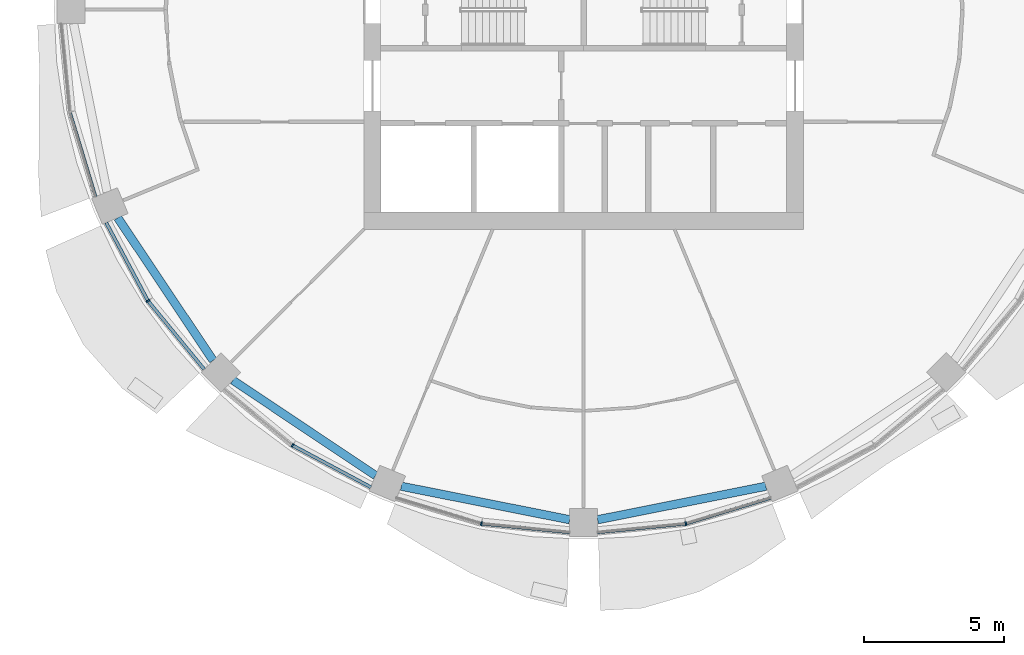
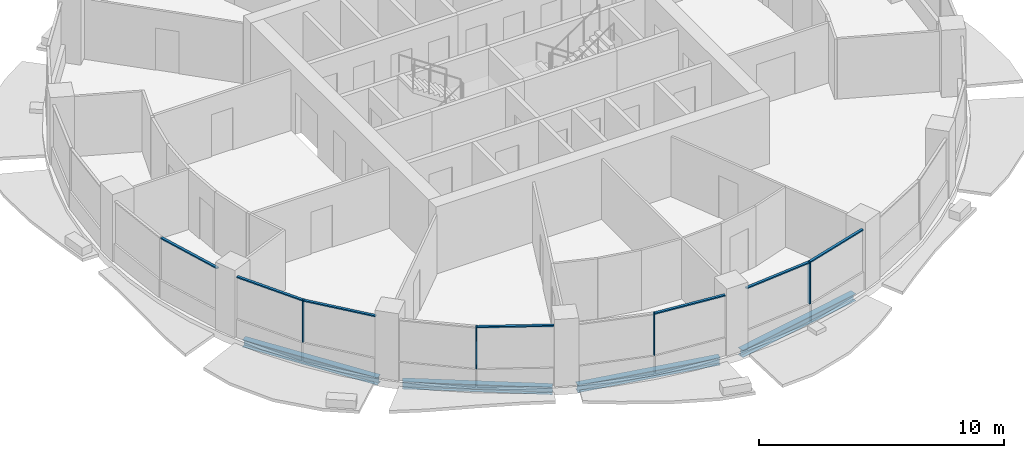
# One storey, part 2 of 15: 11 members, 4 beams, 5 elements without a shape of their own.
"""IFC4 building model written with IfcOpenShell, lengths in metres."""

from ifc_helpers import new_model, si_unit, direction, frame, origin, origin_2d, place, context, subcontext, project, spatial, rectangle, i_section, extrude, material, material_profile, profile_set, type_object, element, aggregate, save


model = new_model("IFC4")

# Units and contexts
model_context = context("Model", 3, precision=1e-05, world=origin(), true_north=direction((0.0, 1.0)))
body_context = subcontext(model_context, "Body", "Model", "MODEL_VIEW")
ifc_project = project(units=[si_unit("LENGTHUNIT", "METRE"), si_unit("AREAUNIT", "SQUARE_METRE"), si_unit("VOLUMEUNIT", "CUBIC_METRE"), si_unit("PLANEANGLEUNIT", "RADIAN"), si_unit("MASSUNIT", "GRAM", prefix="KILO")], contexts=[model_context])

# Site, building, storey
site_placement = place(None, origin())
site = spatial("IfcSite", under=ifc_project, at=site_placement, CompositionType="ELEMENT")
building_placement = place(site_placement, origin())
building = spatial("IfcBuilding", under=site, at=building_placement, Name="Polderwave Tower", CompositionType="ELEMENT")
storey_placement = place(building_placement, frame((0.0, 0.0, 134.35009765625)))
storey = spatial("IfcBuildingStorey", under=building, at=storey_placement, Name="L35", CompositionType="ELEMENT", Elevation=134.35009765625)

# Curtain wall, member
ifc_material_1 = material(Name="Aluminium 6063-T6 and glass", Category="aluminium")
curtain_wall_type = type_object("IfcCurtainWallType", Name="Office ribbon glazing wall", PredefinedType="NOTDEFINED", material=ifc_material_1)
curtain_wall_1_placement = place(storey_placement, origin())
curtain_wall_1 = element("IfcCurtainWall", 1, at=curtain_wall_1_placement, inside=storey, type_object=curtain_wall_type, Name="CW3 L35 09", PredefinedType="NOTDEFINED")
ifc_material_2 = material(Name="Aluminium 6063-T6", Category="aluminium")
ifc_material_profile_1 = material_profile(ifc_material_2, rectangle(XDim=0.139892578125, YDim=0.054931640625, at=origin_2d()), Name="AL 55x140")
ifc_profile_set_1 = profile_set([ifc_material_profile_1], Name="Aluminium 6063-T6")
member_type_1 = type_object("IfcMemberType", Name="Office ribbon glazing mullion 55x140", PredefinedType="MULLION", material=ifc_profile_set_1)
member_1_placement = place(storey_placement, frame((-15.614990234375, -10.43408203125, 0.89990234375), z_axis=(0.0, 0.0, 1.0), x_axis=(0.831411428565, 0.555657301267, 0.0)))
member_1 = element("IfcMember", 2, at=member_1_placement, type_object=member_type_1, Name="CW3 mullion 1", PredefinedType="MULLION", context=body_context, shape_type="SweptSolid", body=[
    extrude(rectangle(XDim=0.139892578125, YDim=0.054931640625, at=origin_2d()), origin(), (0.0, 0.0, 1.0), 2.10009765625),
])

curtain_wall_2_placement = place(storey_placement, origin())
curtain_wall_2 = element("IfcCurtainWall", 3, at=curtain_wall_2_placement, inside=storey, type_object=curtain_wall_type, Name="CW3 L35 10", PredefinedType="NOTDEFINED")
member_2_placement = place(storey_placement, frame((-10.43408203125, -15.614990234375, 0.89990234375), z_axis=(0.0, 0.0, 1.0), x_axis=(0.555657301267, 0.831411428565, 0.0)))
member_2 = element("IfcMember", 4, at=member_2_placement, type_object=member_type_1, Name="CW3 mullion 1", PredefinedType="MULLION", context=body_context, shape_type="SweptSolid", body=[
    extrude(rectangle(XDim=0.139892578125, YDim=0.054931640625, at=origin_2d()), origin(), (0.0, 0.0, 1.0), 2.10009765625),
])

curtain_wall_3_placement = place(storey_placement, origin())
curtain_wall_3 = element("IfcCurtainWall", 5, at=curtain_wall_3_placement, inside=storey, type_object=curtain_wall_type, Name="CW3 L35 11", PredefinedType="NOTDEFINED")
member_3_placement = place(storey_placement, frame((-3.6640625, -18.4189453125, 0.89990234375), z_axis=(0.0, 0.0, 1.0), x_axis=(0.195179334461, 0.980767570528, 0.0)))
member_3 = element("IfcMember", 6, at=member_3_placement, type_object=member_type_1, Name="CW3 mullion 1", PredefinedType="MULLION", context=body_context, shape_type="SweptSolid", body=[
    extrude(rectangle(XDim=0.139892578125, YDim=0.054931640625, at=origin_2d()), origin(), (0.0, 0.0, 1.0), 2.10009765625),
])

curtain_wall_4_placement = place(storey_placement, origin())
curtain_wall_4 = element("IfcCurtainWall", 7, at=curtain_wall_4_placement, inside=storey, type_object=curtain_wall_type, Name="CW3 L35 12", PredefinedType="NOTDEFINED")
member_4_placement = place(storey_placement, frame((3.6640625, -18.4189453125, 0.89990234375), z_axis=(0.0, 0.0, 1.0), x_axis=(-0.195179334461, 0.980767570528, 0.0)))
member_4 = element("IfcMember", 8, at=member_4_placement, type_object=member_type_1, Name="CW3 mullion 1", PredefinedType="MULLION", context=body_context, shape_type="SweptSolid", body=[
    extrude(rectangle(XDim=0.139892578125, YDim=0.054931640625, at=origin_2d()), origin(), (0.0, 0.0, 1.0), 2.10009765625),
])

curtain_wall_5_placement = place(storey_placement, origin())
curtain_wall_5 = element("IfcCurtainWall", 9, at=curtain_wall_5_placement, inside=storey, type_object=curtain_wall_type, Name="CW3 L35 08", PredefinedType="NOTDEFINED")
ifc_material_profile_2 = material_profile(ifc_material_2, rectangle(XDim=0.1201171875, YDim=0.06005859375, at=origin_2d()), Name="AL 60x120")
ifc_profile_set_2 = profile_set([ifc_material_profile_2], Name="Aluminium 6063-T6")
member_type_2 = type_object("IfcMemberType", Name="Office ribbon glazing transom 60x120", PredefinedType="USERDEFINED", material=ifc_profile_set_2)
member_5_placement = place(storey_placement, frame((-18.410888671875, -3.690185546875, 2.969970703125), z_axis=(0.290267539602, -0.956945534215, 0.0), x_axis=(0.956945534215, 0.290267539602, 0.0)))
member_5 = element("IfcMember", 10, at=member_5_placement, type_object=member_type_2, Name="CW3 transom 2", ObjectType="TRANSOM", PredefinedType="USERDEFINED", context=body_context, shape_type="SweptSolid", body=[
    extrude(rectangle(XDim=0.1201171875, YDim=0.06005859375, at=origin_2d()), origin(), (0.0, 0.0, 1.0), 3.151611328125),
])
aggregate(curtain_wall_5, [member_5])

# Member
member_6_placement = place(storey_placement, frame((-17.114013671875, -7.6298828125, 2.969970703125), z_axis=(0.471460363877, -0.88188725203, 0.0), x_axis=(0.88188725203, 0.471460363877, 0.0)))
member_6 = element("IfcMember", 11, at=member_6_placement, type_object=member_type_2, Name="CW3 transom 1", ObjectType="TRANSOM", PredefinedType="USERDEFINED", context=body_context, shape_type="SweptSolid", body=[
    extrude(rectangle(XDim=0.1201171875, YDim=0.06005859375, at=origin_2d()), origin(), (0.0, 0.0, 1.0), 3.152099609375),
])

member_7_placement = place(storey_placement, frame((-15.59765625, -10.455322265625, 2.969970703125), z_axis=(0.634536204131, -0.772893139863, 0.0), x_axis=(0.772893139863, 0.634536204131, 0.0)))
member_7 = element("IfcMember", 12, at=member_7_placement, type_object=member_type_2, Name="CW3 transom 2", ObjectType="TRANSOM", PredefinedType="USERDEFINED", context=body_context, shape_type="SweptSolid", body=[
    extrude(rectangle(XDim=0.1201171875, YDim=0.06005859375, at=origin_2d()), origin(), (0.0, 0.0, 1.0), 3.151611328125),
])

aggregate(curtain_wall_1, [member_1, member_6, member_7])

member_8_placement = place(storey_placement, frame((-10.40966796875, -15.6279296875, 2.969970703125), z_axis=(0.88188725203, -0.471460363877, 0.0), x_axis=(0.471460363877, 0.88188725203, 0.0)))
member_8 = element("IfcMember", 13, at=member_8_placement, type_object=member_type_2, Name="CW3 transom 2", ObjectType="TRANSOM", PredefinedType="USERDEFINED", context=body_context, shape_type="SweptSolid", body=[
    extrude(rectangle(XDim=0.1201171875, YDim=0.06005859375, at=origin_2d()), origin(), (0.0, 0.0, 1.0), 3.152099609375),
])

aggregate(curtain_wall_2, [member_2, member_8])

member_9_placement = place(storey_placement, frame((-3.63671875, -18.421630859375, 2.969970703125), z_axis=(0.995172762919, -0.09813853445, 0.0), x_axis=(0.09813853445, 0.995172762919, 0.0)))
member_9 = element("IfcMember", 14, at=member_9_placement, type_object=member_type_2, Name="CW3 transom 2", ObjectType="TRANSOM", PredefinedType="USERDEFINED", context=body_context, shape_type="SweptSolid", body=[
    extrude(rectangle(XDim=0.1201171875, YDim=0.06005859375, at=origin_2d()), origin(), (0.0, 0.0, 1.0), 3.15185546875),
])

aggregate(curtain_wall_3, [member_3, member_9])

member_10_placement = place(storey_placement, frame((0.5, -18.73095703125, 2.969970703125), z_axis=(0.995172762919, 0.09813853445, 0.0), x_axis=(-0.09813853445, 0.995172762919, 0.0)))
member_10 = element("IfcMember", 15, at=member_10_placement, type_object=member_type_2, Name="CW3 transom 1", ObjectType="TRANSOM", PredefinedType="USERDEFINED", context=body_context, shape_type="SweptSolid", body=[
    extrude(rectangle(XDim=0.1201171875, YDim=0.06005859375, at=origin_2d()), origin(), (0.0, 0.0, 1.0), 3.15185546875),
])

member_11_placement = place(storey_placement, frame((3.690185546875, -18.410888671875, 2.969970703125), z_axis=(0.956945534215, 0.290267539602, 0.0), x_axis=(-0.290267539602, 0.956945534215, 0.0)))
member_11 = element("IfcMember", 16, at=member_11_placement, type_object=member_type_2, Name="CW3 transom 2", ObjectType="TRANSOM", PredefinedType="USERDEFINED", context=body_context, shape_type="SweptSolid", body=[
    extrude(rectangle(XDim=0.1201171875, YDim=0.06005859375, at=origin_2d()), origin(), (0.0, 0.0, 1.0), 3.151611328125),
])

aggregate(curtain_wall_4, [member_4, member_10, member_11])

# Beams
ifc_material_3 = material(Name="Steel S355", Category="steel")
ifc_material_profile_3 = material_profile(ifc_material_3, i_section(OverallWidth=0.300048828125, OverallDepth=0.360107421875, WebThickness=0.012451171875, FlangeThickness=0.0224609375, at=origin_2d()), Name="HE 360 B")
ifc_profile_set_3 = profile_set([ifc_material_profile_3], Name="Steel S355")
beam_type = type_object("IfcBeamType", Name="RING BEAM HE 360 B", PredefinedType="BEAM", material=ifc_profile_set_3)
for number, where, z_axis, x_axis, name in (
    (17, (-16.69775390625, -7.45751953125, -0.530029296875), (0.555579044629, -0.831463724506, 0.0), (0.831463724506, 0.555579044629, 0.0), "ST-RB-L35-09"),
    (18, (-12.57275390625, -13.27978515625, -0.530029296875), (0.831463724506, -0.555579044629, 0.0), (0.555579044629, 0.831463724506, 0.0), "ST-RB-L35-10"),
):
    element("IfcBeam", number, at=place(storey_placement, frame(where, z_axis=z_axis, x_axis=x_axis)), inside=storey, type_object=beam_type, Name=name, PredefinedType="BEAM", context=body_context, shape_type="SweptSolid", body=[
        extrude(i_section(OverallWidth=0.300048828125, OverallDepth=0.360107421875, WebThickness=0.012451171875, FlangeThickness=0.0224609375, at=origin_2d()), origin(), (0.0, 0.0, 1.0), 6.152099609375),
    ])
for number, where, z_axis, x_axis, name in (
    (19, (-6.53369140625, -17.080322265625, -0.530029296875), (0.9807846748, -0.195093366566, 0.0), (0.195093366566, 0.9807846748, 0.0), "ST-RB-L35-11"),
    (20, (0.5, -18.280517578125, -0.530029296875), (0.9807846748, 0.195093366566, 0.0), (-0.195093366566, 0.9807846748, 0.0), "ST-RB-L35-12"),
):
    element("IfcBeam", number, at=place(storey_placement, frame(where, z_axis=z_axis, x_axis=x_axis)), inside=storey, type_object=beam_type, Name=name, PredefinedType="BEAM", context=body_context, shape_type="SweptSolid", body=[
        extrude(i_section(OverallWidth=0.300048828125, OverallDepth=0.360107421875, WebThickness=0.012451171875, FlangeThickness=0.0224609375, at=origin_2d()), origin(), (0.0, 0.0, 1.0), 6.15185546875),
    ])

save(model, "model.ifc")
